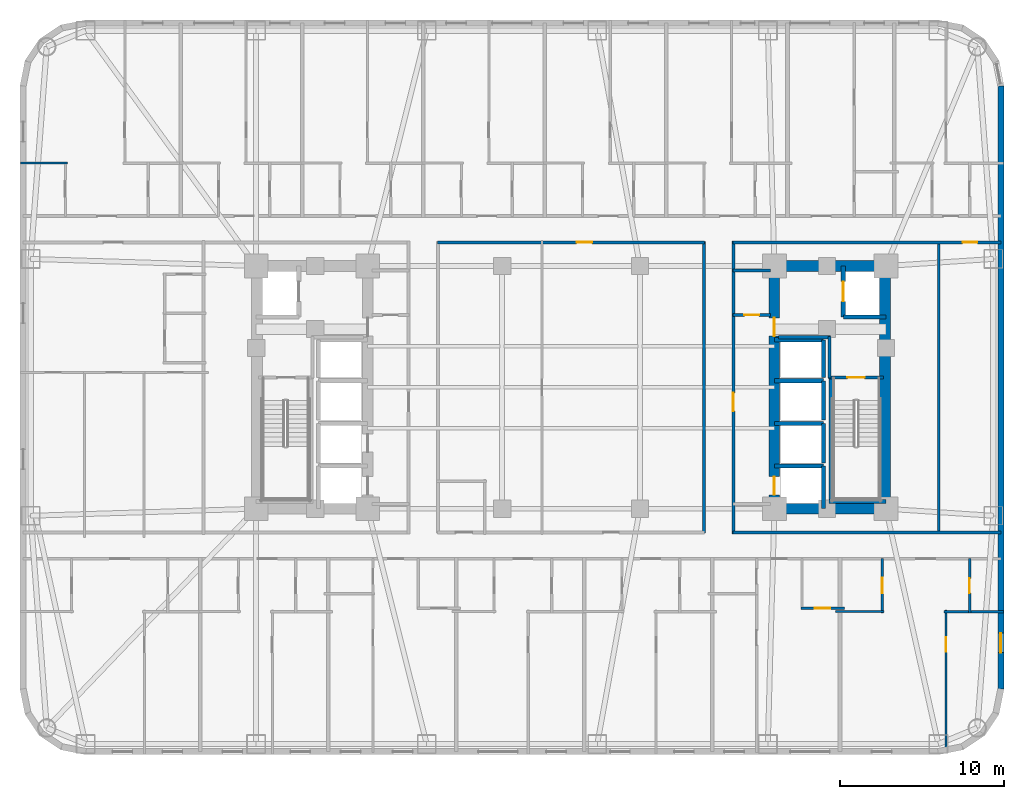
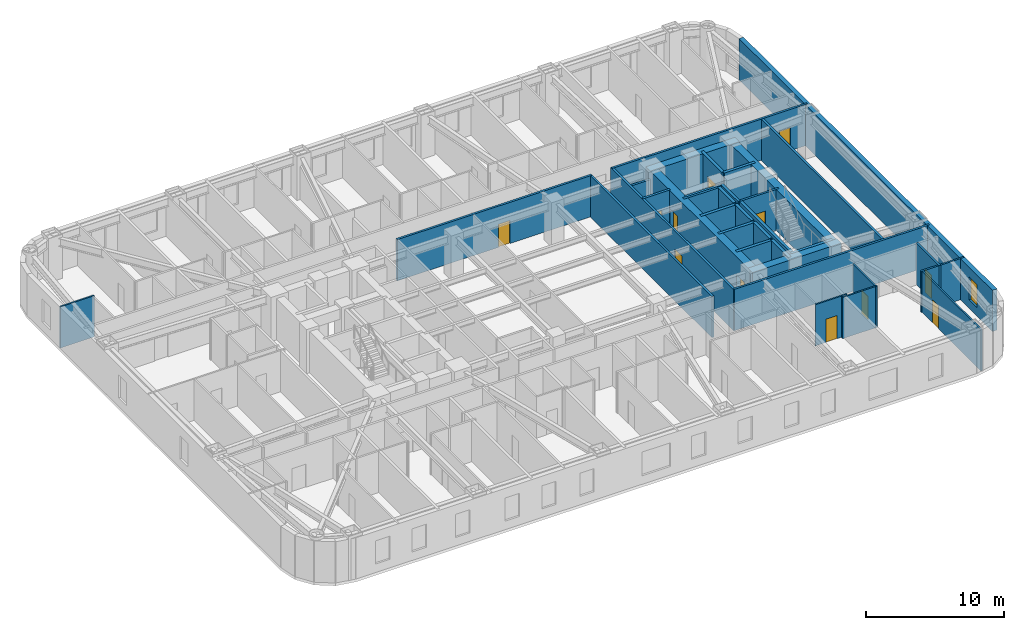
# One storey, part 6 of 11: 35 walls, 12 doors, 1 window, 13 openings.
"""IFC4 building model written with IfcOpenShell, lengths in metres."""

from ifc_helpers import new_model, si_unit, direction, frame, frame_2d, origin, place, context, subcontext, project, spatial, rectangle, extrude, material, layer, layer_set, type_object, element, fill, save


model = new_model("IFC4")

# Units and contexts
model_context = context("Model", 3, precision=1e-05, world=origin(), true_north=direction((0.0, 1.0)))
body_context = subcontext(model_context, "Body", "Model", "MODEL_VIEW")
ifc_project = project(units=[si_unit("LENGTHUNIT", "METRE"), si_unit("AREAUNIT", "SQUARE_METRE"), si_unit("VOLUMEUNIT", "CUBIC_METRE"), si_unit("PLANEANGLEUNIT", "RADIAN"), si_unit("MASSUNIT", "GRAM", prefix="KILO")], contexts=[model_context])

# Site, building, storey
site_placement = place(None, origin())
site = spatial("IfcSite", under=ifc_project, at=site_placement, CompositionType="ELEMENT")
building_placement = place(site_placement, origin())
building = spatial("IfcBuilding", under=site, at=building_placement, Name="Voryun Gate Residences", CompositionType="ELEMENT")
storey_placement = place(building_placement, frame((0.0, 0.0, 57.199951171875)))
storey = spatial("IfcBuildingStorey", under=building, at=storey_placement, Name="L13", CompositionType="ELEMENT", Elevation=57.199951171875)

# Walls
ifc_material_1 = material(Name="Concrete C60/75", Category="concrete")
ifc_layer_1 = layer(ifc_material_1, 0.64990234375, Name="CW_CORE_650")
ifc_layer_set_1 = layer_set([ifc_layer_1], Name="Concrete C60/75")
wall_type_1 = type_object("IfcWallType", Name="CW_CORE_650", PredefinedType="SHEAR", material=ifc_layer_set_1)
for number, where, z_axis, x_axis, name in (
    (1, (12.074951171875, -7.39990234375, 0.0), (0.0, 0.0, 1.0), (1.0, 0.0, 0.0), "L13 Core shear wall CW-L13-ES"),
    (2, (12.074951171875, 7.39990234375, 0.0), (0.0, 0.0, 1.0), (1.0, 0.0, 0.0), "L13 Core shear wall CW-L13-EN"),
):
    element("IfcWall", number, at=place(storey_placement, frame(where, z_axis=z_axis, x_axis=x_axis)), inside=storey, type_object=wall_type_1, Name=name, PredefinedType="SHEAR", context=body_context, shape_type="SweptSolid", body=[
        extrude(rectangle(XDim=7.449951171875, YDim=0.64990234375, at=frame_2d((3.72509765625, 0.0))), origin(), (0.0, 0.0, 1.0), 3.650146484375),
    ])

# Wall, openings, doors
wall_1_placement = place(storey_placement, frame((12.39990234375, -7.39990234375, 0.0), z_axis=(0.0, 0.0, 1.0), x_axis=(0.0, 1.0, 0.0)))
wall_1 = element("IfcWall", 3, at=wall_1_placement, inside=storey, type_object=wall_type_1, Name="L13 Core shear wall CW-L13-EW", PredefinedType="SHEAR", context=body_context, shape_type="SweptSolid", body=[
    extrude(rectangle(XDim=14.7998046875, YDim=0.64990234375, at=frame_2d((7.39990234375, 0.0))), origin(), (0.0, 0.0, 1.0), 3.650146484375),
])
opening_1_placement = place(wall_1_placement, frame((0.85009765625, 0.0, 0.0)))
opening_1 = element("IfcOpeningElement", 4, at=opening_1_placement, cuts=wall_1, Name="Opening LD2", PredefinedType="OPENING", context=body_context, shape_type="SweptSolid", body=[
    extrude(rectangle(XDim=1.10009765625, YDim=2.050048828125, at=frame_2d((0.550048828125, 1.02490234375))), frame((0.0, 0.3349609375, 0.0), z_axis=(0.0, -1.0, 0.0), x_axis=(1.0, 0.0, 0.0)), (0.0, 0.0, 1.0), 0.669921875),
])
opening_2_placement = place(wall_1_placement, frame((10.530029296875, 0.0, 0.0)))
opening_2 = element("IfcOpeningElement", 5, at=opening_2_placement, cuts=wall_1, Name="Opening D-FD60-2", PredefinedType="OPENING", context=body_context, shape_type="SweptSolid", body=[
    extrude(rectangle(XDim=1.10009765625, YDim=2.050048828125, at=frame_2d((0.550048828125, 1.02490234375))), frame((0.0, 0.3349609375, 0.0), z_axis=(0.0, -1.0, 0.0), x_axis=(1.0, 0.0, 0.0)), (0.0, 0.0, 1.0), 0.669921875),
])
ifc_material_2 = material(Name="Painted steel fire door", Category="steel")
door_type_1 = type_object("IfcDoorType", Name="DR_FD60_FFLOB_1100", OperationType="NOTDEFINED", PredefinedType="DOOR", material=ifc_material_2)
door_1_placement = place(opening_2_placement, origin())
door_1 = element("IfcDoor", 6, at=door_1_placement, inside=storey, type_object=door_type_1, Name="Door DR-L13-CLOB-E", OperationType="SINGLE_SWING_RIGHT", OverallHeight=2.050048828125, OverallWidth=1.10009765625, PredefinedType="DOOR", context=body_context, shape_type="SweptSolid", body=[
    extrude(rectangle(XDim=1.10009765625, YDim=2.050048828125, at=frame_2d((0.550048828125, 1.02490234375))), frame((0.0, 0.02490234375, 0.0), z_axis=(0.0, -1.0, 0.0), x_axis=(1.0, 0.0, 0.0)), (0.0, 0.0, 1.0), 0.050048828125),
])
fill(opening_2, door_1)
ifc_material_3 = material(Name="Anodised aluminium", Category="aluminium")
door_type_2 = type_object("IfcDoorType", Name="DR_LD_PASS_1100", OperationType="NOTDEFINED", PredefinedType="DOOR", material=ifc_material_3)
door_2_placement = place(opening_1_placement, origin())
door_2 = element("IfcDoor", 7, at=door_2_placement, inside=storey, type_object=door_type_2, Name="Lift EL-P3 sliding landing door L13", OperationType="SLIDING_TO_LEFT", OverallHeight=2.050048828125, OverallWidth=1.10009765625, PredefinedType="DOOR", context=body_context, shape_type="SweptSolid", body=[
    extrude(rectangle(XDim=1.10009765625, YDim=2.050048828125, at=frame_2d((0.550048828125, 1.02490234375))), frame((0.0, 0.02490234375, 0.0), z_axis=(0.0, -1.0, 0.0), x_axis=(1.0, 0.0, 0.0)), (0.0, 0.0, 1.0), 0.050048828125),
])
fill(opening_1, door_2)

# Wall
wall_2_placement = place(storey_placement, frame((19.14501953125, -7.39990234375, 0.0), z_axis=(0.0, 0.0, 1.0), x_axis=(0.0, 1.0, 0.0)))
element("IfcWall", 8, at=wall_2_placement, inside=storey, type_object=wall_type_1, Name="L13 Core shear wall CW-L13-EE", PredefinedType="SHEAR", context=body_context, shape_type="SweptSolid", body=[
    extrude(rectangle(XDim=14.7998046875, YDim=0.64990234375, at=frame_2d((7.39990234375, 0.0))), origin(), (0.0, 0.0, 1.0), 3.650146484375),
])

# Wall, opening, door
ifc_material_4 = material(Name="Gypsum acoustic fireboard")
ifc_layer_2 = layer(ifc_material_4, 0.179931640625, Name="W_CORR_RATED_180")
ifc_layer_set_2 = layer_set([ifc_layer_2], Name="Gypsum acoustic fireboard")
wall_type_2 = type_object("IfcWallType", Name="W_CORR_RATED_180", PredefinedType="PARTITIONING", material=ifc_layer_set_2)
wall_3_placement = place(storey_placement, frame((15.699951171875, 0.60009765625, 0.0), z_axis=(0.0, 0.0, 1.0), x_axis=(1.0, 0.0, 0.0)))
wall_3 = element("IfcWall", 9, at=wall_3_placement, inside=storey, type_object=wall_type_2, Name="Partition wall WP-L13-STV-E", PredefinedType="PARTITIONING", context=body_context, shape_type="SweptSolid", body=[
    extrude(rectangle(XDim=3.360107421875, YDim=0.179931640625, at=frame_2d((1.68017578125, 0.0))), origin(), (0.0, 0.0, 1.0), 3.650146484375),
])
opening_3_placement = place(wall_3_placement, frame((1.155029296875, 0.0, 0.0)))
opening_3 = element("IfcOpeningElement", 10, at=opening_3_placement, cuts=wall_3, Name="Opening D-FD60-1", PredefinedType="OPENING", context=body_context, shape_type="SweptSolid", body=[
    extrude(rectangle(XDim=1.050048828125, YDim=2.050048828125, at=frame_2d((0.52490234375, 1.02490234375))), frame((0.0, 0.099853515625, 0.0), z_axis=(0.0, -1.0, 0.0), x_axis=(1.0, 0.0, 0.0)), (0.0, 0.0, 1.0), 0.199951171875),
])
ifc_material_5 = material(Name="Painted steel fire door", Category="steel")
door_type_3 = type_object("IfcDoorType", Name="DR_FD60_STAIR_1050", OperationType="NOTDEFINED", PredefinedType="DOOR", material=ifc_material_5)
door_3_placement = place(opening_3_placement, origin())
door_3 = element("IfcDoor", 11, at=door_3_placement, inside=storey, type_object=door_type_3, Name="Door DR-L13-ST-E", OperationType="SINGLE_SWING_RIGHT", OverallHeight=2.050048828125, OverallWidth=1.050048828125, PredefinedType="DOOR", context=body_context, shape_type="SweptSolid", body=[
    extrude(rectangle(XDim=1.050048828125, YDim=2.050048828125, at=frame_2d((0.52490234375, 1.02490234375))), frame((0.0, 0.02490234375, 0.0), z_axis=(0.0, -1.0, 0.0), x_axis=(1.0, 0.0, 0.0)), (0.0, 0.0, 1.0), 0.050048828125),
])
fill(opening_3, door_3)

# Wall
wall_4_placement = place(storey_placement, frame((9.8798828125, 7.1201171875, 0.0), z_axis=(0.0, 0.0, 1.0), x_axis=(1.0, 0.0, 0.0)))
element("IfcWall", 12, at=wall_4_placement, inside=storey, type_object=wall_type_2, Name="Partition wall WP-L13-PLBN-E", PredefinedType="PARTITIONING", context=body_context, shape_type="SweptSolid", body=[
    extrude(rectangle(XDim=2.27001953125, YDim=0.179931640625, at=frame_2d((1.135009765625, 0.0))), origin(), (0.0, 0.0, 1.0), 2.93994140625),
])

# Wall, opening, door
wall_5_placement = place(storey_placement, frame((9.89990234375, -8.929931640625, 0.0), z_axis=(0.0, 0.0, 1.0), x_axis=(0.0, 1.0, 0.0)))
wall_5 = element("IfcWall", 13, at=wall_5_placement, inside=storey, type_object=wall_type_2, Name="Partition wall WP-L13-PLBE-FULL", PredefinedType="PARTITIONING", context=body_context, shape_type="SweptSolid", body=[
    extrude(rectangle(XDim=17.85986328125, YDim=0.179931640625, at=frame_2d((8.929931640625, 0.0))), origin(), (0.0, 0.0, 1.0), 3.650146484375),
])
opening_4_placement = place(wall_5_placement, frame((7.487060546875, 0.0, 0.0)))
opening_4 = element("IfcOpeningElement", 14, at=opening_4_placement, cuts=wall_5, Name="Opening D-FD60-2", PredefinedType="OPENING", context=body_context, shape_type="SweptSolid", body=[
    extrude(rectangle(XDim=1.10009765625, YDim=2.050048828125, at=frame_2d((0.550048828125, 1.02490234375))), frame((0.0, 0.099853515625, 0.0), z_axis=(0.0, -1.0, 0.0), x_axis=(1.0, 0.0, 0.0)), (0.0, 0.0, 1.0), 0.199951171875),
])
door_4_placement = place(opening_4_placement, origin())
door_4 = element("IfcDoor", 15, at=door_4_placement, inside=storey, type_object=door_type_1, Name="Door DR-L13-PLBE-COR", OperationType="SINGLE_SWING_RIGHT", OverallHeight=2.050048828125, OverallWidth=1.10009765625, PredefinedType="DOOR", context=body_context, shape_type="SweptSolid", body=[
    extrude(rectangle(XDim=1.10009765625, YDim=2.050048828125, at=frame_2d((0.550048828125, 1.02490234375))), frame((0.0, 0.02490234375, 0.0), z_axis=(0.0, -1.0, 0.0), x_axis=(1.0, 0.0, 0.0)), (0.0, 0.0, 1.0), 0.050048828125),
])
fill(opening_4, door_4)

wall_6_placement = place(storey_placement, frame((9.8798828125, 8.840087890625, 0.0), z_axis=(0.0, 0.0, 1.0), x_axis=(1.0, 0.0, 0.0)))
wall_6 = element("IfcWall", 16, at=wall_6_placement, inside=storey, type_object=wall_type_2, Name="Partition wall WP-L13-CWING-EN", PredefinedType="PARTITIONING", context=body_context, shape_type="SweptSolid", body=[
    extrude(rectangle(XDim=16.330078125, YDim=0.179931640625, at=frame_2d((8.1650390625, 0.0))), origin(), (0.0, 0.0, 1.0), 3.650146484375),
])
opening_5_placement = place(wall_6_placement, frame((13.990478515625, 0.0, 0.0)))
opening_5 = element("IfcOpeningElement", 17, at=opening_5_placement, cuts=wall_6, Name="Opening D-INT-2", PredefinedType="OPENING", context=body_context, shape_type="SweptSolid", body=[
    extrude(rectangle(XDim=0.89990234375, YDim=2.050048828125, at=frame_2d((0.449951171875, 1.02490234375))), frame((0.0, 0.099853515625, 0.0), z_axis=(0.0, -1.0, 0.0), x_axis=(1.0, 0.0, 0.0)), (0.0, 0.0, 1.0), 0.199951171875),
])
ifc_material_6 = material(Name="Architectural oak veneer")
door_type_4 = type_object("IfcDoorType", Name="DR_INT_BATH_900", OperationType="NOTDEFINED", PredefinedType="DOOR", material=ifc_material_6)
door_5_placement = place(opening_5_placement, origin())
door_5 = element("IfcDoor", 18, at=door_5_placement, inside=storey, type_object=door_type_4, Name="Door DR-L13-EE1N", OperationType="SINGLE_SWING_LEFT", OverallHeight=2.050048828125, OverallWidth=0.89990234375, PredefinedType="DOOR", context=body_context, shape_type="SweptSolid", body=[
    extrude(rectangle(XDim=0.89990234375, YDim=2.050048828125, at=frame_2d((0.449951171875, 1.02490234375))), frame((0.0, 0.02490234375, 0.0), z_axis=(0.0, -1.0, 0.0), x_axis=(1.0, 0.0, 0.0)), (0.0, 0.0, 1.0), 0.050048828125),
])
fill(opening_5, door_5)

# Wall
wall_7_placement = place(storey_placement, frame((9.8798828125, -8.840087890625, 0.0), z_axis=(0.0, 0.0, 1.0), x_axis=(1.0, 0.0, 0.0)))
element("IfcWall", 19, at=wall_7_placement, inside=storey, type_object=wall_type_2, Name="Partition wall WP-L13-CWING-ES", PredefinedType="PARTITIONING", context=body_context, shape_type="SweptSolid", body=[
    extrude(rectangle(XDim=16.330078125, YDim=0.179931640625, at=frame_2d((8.1650390625, 0.0))), origin(), (0.0, 0.0, 1.0), 3.650146484375),
])

# Wall, opening, door
wall_8_placement = place(storey_placement, frame((-8.14990234375, 8.840087890625, 0.0), z_axis=(0.0, 0.0, 1.0), x_axis=(1.0, 0.0, 0.0)))
wall_8 = element("IfcWall", 20, at=wall_8_placement, inside=storey, type_object=wall_type_2, Name="Partition wall WP-L13-Z1N", PredefinedType="PARTITIONING", context=body_context, shape_type="SweptSolid", body=[
    extrude(rectangle(XDim=16.2998046875, YDim=0.179931640625, at=frame_2d((8.14990234375, 0.0))), origin(), (0.0, 0.0, 1.0), 3.650146484375),
])
opening_6_placement = place(wall_8_placement, frame((8.489990234375, 0.0, 0.0)))
opening_6 = element("IfcOpeningElement", 21, at=opening_6_placement, cuts=wall_8, Name="Opening D-INT-1", PredefinedType="OPENING", context=body_context, shape_type="SweptSolid", body=[
    extrude(rectangle(XDim=0.949951171875, YDim=2.050048828125, at=frame_2d((0.47509765625, 1.02490234375))), frame((0.0, 0.099853515625, 0.0), z_axis=(0.0, -1.0, 0.0), x_axis=(1.0, 0.0, 0.0)), (0.0, 0.0, 1.0), 0.199951171875),
])
ifc_material_7 = material(Name="Architectural oak veneer")
door_type_5 = type_object("IfcDoorType", Name="DR_INT_ROOM_950", OperationType="NOTDEFINED", PredefinedType="DOOR", material=ifc_material_7)
door_6_placement = place(opening_6_placement, origin())
door_6 = element("IfcDoor", 22, at=door_6_placement, inside=storey, type_object=door_type_5, Name="Door DR-L13-CMIDZ1N", OperationType="SINGLE_SWING_LEFT", OverallHeight=2.050048828125, OverallWidth=0.949951171875, PredefinedType="DOOR", context=body_context, shape_type="SweptSolid", body=[
    extrude(rectangle(XDim=0.949951171875, YDim=2.050048828125, at=frame_2d((0.47509765625, 1.02490234375))), frame((0.0, 0.02490234375, 0.0), z_axis=(0.0, -1.0, 0.0), x_axis=(1.0, 0.0, 0.0)), (0.0, 0.0, 1.0), 0.050048828125),
])
fill(opening_6, door_6)

# Walls
wall_9_placement = place(storey_placement, frame((8.10009765625, -8.8798828125, 0.0), z_axis=(0.0, 0.0, 1.0), x_axis=(0.0, 1.0, 0.0)))
element("IfcWall", 23, at=wall_9_placement, inside=storey, type_object=wall_type_2, Name="Partition wall WP-L13-Z1E", PredefinedType="PARTITIONING", context=body_context, shape_type="SweptSolid", body=[
    extrude(rectangle(XDim=17.759765625, YDim=0.179931640625, at=frame_2d((8.8798828125, 0.0))), origin(), (0.0, 0.0, 1.0), 3.650146484375),
])
wall_10_placement = place(storey_placement, frame((22.419921875, -8.929931640625, 0.0), z_axis=(0.0, 0.0, 1.0), x_axis=(0.0, 1.0, 0.0)))
element("IfcWall", 24, at=wall_10_placement, inside=storey, type_object=wall_type_2, Name="Partition wall WP-L13-EEND", PredefinedType="PARTITIONING", context=body_context, shape_type="SweptSolid", body=[
    extrude(rectangle(XDim=17.85986328125, YDim=0.179931640625, at=frame_2d((8.929931640625, 0.0))), origin(), (0.0, 0.0, 1.0), 3.650146484375),
])

# Wall, opening, window
ifc_material_8 = material(Name="Granite masonry", Category="masonry")
ifc_layer_3 = layer(ifc_material_8, 0.3798828125, Name="W_EXT_GRANITE_380")
ifc_layer_set_3 = layer_set([ifc_layer_3], Name="Granite masonry")
wall_type_3 = type_object("IfcWallType", Name="W_EXT_GRANITE_380", PredefinedType="ELEMENTEDWALL", material=ifc_layer_set_3)
wall_11_placement = place(storey_placement, frame((26.2099609375, 18.38134765625, 0.0), z_axis=(0.0, 0.0, 1.0), x_axis=(0.0, -1.0, 0.0)))
wall_11 = element("IfcWall", 25, at=wall_11_placement, inside=storey, type_object=wall_type_3, Name="Exterior wall WEXT-L13-16", PredefinedType="ELEMENTEDWALL", context=body_context, shape_type="SweptSolid", body=[
    extrude(rectangle(XDim=36.7626953125, YDim=0.3798828125, at=frame_2d((18.38134765625, 0.0))), origin(), (0.0, 0.0, 1.0), 3.650146484375),
])
opening_7_placement = place(wall_11_placement, frame((33.362060546875, 0.0, 0.75)))
opening_7 = element("IfcOpeningElement", 26, at=opening_7_placement, cuts=wall_11, Name="Opening WN6", PredefinedType="OPENING", context=body_context, shape_type="SweptSolid", body=[
    extrude(rectangle(XDim=1.199951171875, YDim=2.050048828125, at=frame_2d((0.60009765625, 1.02490234375))), frame((0.0, 0.199951171875, 0.0), z_axis=(0.0, -1.0, 0.0), x_axis=(1.0, 0.0, 0.0)), (0.0, 0.0, 1.0), 0.39990234375),
])
ifc_material_9 = material(Name="Laminated low-E glass", Category="glass")
window_type = type_object("IfcWindowType", Name="WN_POD_SLOT_1200", PartitioningType="SINGLE_PANEL", PredefinedType="WINDOW", material=ifc_material_9)
window_placement = place(opening_7_placement, origin())
window = element("IfcWindow", 27, at=window_placement, inside=storey, type_object=window_type, Name="Window WN-L13-DWFIX-25", OverallHeight=2.050048828125, OverallWidth=1.199951171875, PartitioningType="SINGLE_PANEL", PredefinedType="WINDOW", context=body_context, shape_type="SweptSolid", body=[
    extrude(rectangle(XDim=1.199951171875, YDim=2.050048828125, at=frame_2d((0.60009765625, 1.02490234375))), frame((0.0, 0.030029296875, 0.0), z_axis=(0.0, -1.0, 0.0), x_axis=(1.0, 0.0, 0.0)), (0.0, 0.0, 1.0), 0.06005859375),
])
fill(opening_7, window)

# Walls
ifc_material_10 = material(Name="Concrete C40/50", Category="concrete")
ifc_layer_4 = layer(ifc_material_10, 0.199951171875, Name="W_FF_LOBBY_200")
ifc_layer_set_4 = layer_set([ifc_layer_4], Name="Concrete C40/50")
wall_type_4 = type_object("IfcWallType", Name="W_FF_LOBBY_200", PredefinedType="PARTITIONING", material=ifc_layer_set_4)
wall_12_placement = place(storey_placement, frame((15.760009765625, 0.580078125, 0.0), z_axis=(0.0, 0.0, 1.0), x_axis=(0.0, 1.0, 0.0)))
element("IfcWall", 28, at=wall_12_placement, inside=storey, type_object=wall_type_4, Name="Partition wall WP-L13-FFP0-E", PredefinedType="PARTITIONING", context=body_context, shape_type="SweptSolid", body=[
    extrude(rectangle(XDim=2.52001953125, YDim=0.199951171875, at=frame_2d((1.260009765625, 0.0))), origin(), (0.0, 0.0, 1.0), 3.650146484375),
])
wall_13_placement = place(storey_placement, frame((12.659912109375, 3.06005859375, 0.0), z_axis=(0.0, 0.0, 1.0), x_axis=(1.0, 0.0, 0.0)))
element("IfcWall", 29, at=wall_13_placement, inside=storey, type_object=wall_type_4, Name="Partition wall WP-L13-FFPS-E", PredefinedType="PARTITIONING", context=body_context, shape_type="SweptSolid", body=[
    extrude(rectangle(XDim=3.16015625, YDim=0.199951171875, at=frame_2d((1.580078125, 0.0))), origin(), (0.0, 0.0, 1.0), 3.650146484375),
])

# Wall, opening, door
wall_14_placement = place(storey_placement, frame((9.8798828125, 4.409912109375, 0.0), z_axis=(0.0, 0.0, 1.0), x_axis=(1.0, 0.0, 0.0)))
wall_14 = element("IfcWall", 30, at=wall_14_placement, inside=storey, type_object=wall_type_4, Name="Partition wall WP-L13-CSFLKS-E", PredefinedType="PARTITIONING", context=body_context, shape_type="SweptSolid", body=[
    extrude(rectangle(XDim=2.27001953125, YDim=0.199951171875, at=frame_2d((1.135009765625, 0.0))), origin(), (0.0, 0.0, 1.0), 3.650146484375),
])
opening_8_placement = place(wall_14_placement, frame((0.68505859375, 0.0, 0.0)))
opening_8 = element("IfcOpeningElement", 31, at=opening_8_placement, cuts=wall_14, Name="Opening D-FD60-4", PredefinedType="OPENING", context=body_context, shape_type="SweptSolid", body=[
    extrude(rectangle(XDim=0.89990234375, YDim=2.050048828125, at=frame_2d((0.449951171875, 1.02490234375))), frame((0.0, 0.110107421875, 0.0), z_axis=(0.0, -1.0, 0.0), x_axis=(1.0, 0.0, 0.0)), (0.0, 0.0, 1.0), 0.219970703125),
])
ifc_material_11 = material(Name="Painted steel fire door", Category="steel")
door_type_6 = type_object("IfcDoorType", Name="DR_FD60_RISER_900", OperationType="NOTDEFINED", PredefinedType="DOOR", material=ifc_material_11)
door_7_placement = place(opening_8_placement, origin())
door_7 = element("IfcDoor", 32, at=door_7_placement, inside=storey, type_object=door_type_6, Name="Door DR-L13-CSFLK-E", OperationType="SINGLE_SWING_RIGHT", OverallHeight=2.050048828125, OverallWidth=0.89990234375, PredefinedType="DOOR", context=body_context, shape_type="SweptSolid", body=[
    extrude(rectangle(XDim=0.89990234375, YDim=2.050048828125, at=frame_2d((0.449951171875, 1.02490234375))), frame((0.0, 0.02490234375, 0.0), z_axis=(0.0, -1.0, 0.0), x_axis=(1.0, 0.0, 0.0)), (0.0, 0.0, 1.0), 0.050048828125),
])
fill(opening_8, door_7)

# Walls
ifc_material_12 = material(Name="Concrete C50/60", Category="concrete")
ifc_layer_5 = layer(ifc_material_12, 0.25, Name="W_SHAFT_RC250")
ifc_layer_set_5 = layer_set([ifc_layer_5], Name="Concrete C50/60")
wall_type_5 = type_object("IfcWallType", Name="W_SHAFT_RC250", PredefinedType="SOLIDWALL", material=ifc_layer_set_5)
wall_15_placement = place(storey_placement, frame((15.860107421875, -7.0849609375, 0.0), z_axis=(0.0, 0.0, 1.0), x_axis=(0.0, 1.0, 0.0)))
element("IfcWall", 33, at=wall_15_placement, inside=storey, type_object=wall_type_5, Name="L13 Stair shaft structural wall E-STL", PredefinedType="SOLIDWALL", context=body_context, shape_type="SweptSolid", body=[
    extrude(rectangle(XDim=7.68505859375, YDim=0.25, at=frame_2d((3.842529296875, 0.0))), origin(), (0.0, 0.0, 1.0), 3.650146484375),
])
wall_16_placement = place(storey_placement, frame((15.739990234375, -6.965087890625, 0.0), z_axis=(0.0, 0.0, 1.0), x_axis=(1.0, 0.0, 0.0)))
element("IfcWall", 34, at=wall_16_placement, inside=storey, type_object=wall_type_5, Name="L13 Stair shaft structural wall E-STS", PredefinedType="SOLIDWALL", context=body_context, shape_type="SweptSolid", body=[
    extrude(rectangle(XDim=3.4599609375, YDim=0.25, at=frame_2d((1.72998046875, 0.0))), origin(), (0.0, 0.0, 1.0), 3.650146484375),
])
wall_17_placement = place(storey_placement, frame((16.60009765625, 4.300048828125, 0.0), z_axis=(0.0, 0.0, 1.0), x_axis=(1.0, 0.0, 0.0)))
element("IfcWall", 35, at=wall_17_placement, inside=storey, type_object=wall_type_5, Name="Lift shaft wall WSH-L13-EL-FF-E1-S", PredefinedType="SOLIDWALL", context=body_context, shape_type="SweptSolid", body=[
    extrude(rectangle(XDim=2.599853515625, YDim=0.25, at=frame_2d((1.2998046875, 0.0))), origin(), (0.0, 0.0, 1.0), 3.650146484375),
])

# Wall, opening, door
wall_18_placement = place(storey_placement, frame((16.60009765625, 7.39990234375, 0.0), z_axis=(0.0, 0.0, 1.0), x_axis=(0.0, -1.0, 0.0)))
wall_18 = element("IfcWall", 36, at=wall_18_placement, inside=storey, type_object=wall_type_5, Name="Lift shaft wall WSH-L13-EL-FF-E1-W", PredefinedType="SOLIDWALL", context=body_context, shape_type="SweptSolid", body=[
    extrude(rectangle(XDim=3.099853515625, YDim=0.25, at=frame_2d((1.5498046875, 0.0))), origin(), (0.0, 0.0, 1.0), 3.650146484375),
])
opening_9_placement = place(wall_18_placement, frame((0.949951171875, 0.0, 0.0)))
opening_9 = element("IfcOpeningElement", 37, at=opening_9_placement, cuts=wall_18, Name="Opening LD1", PredefinedType="OPENING", context=body_context, shape_type="SweptSolid", body=[
    extrude(rectangle(XDim=1.199951171875, YDim=2.050048828125, at=frame_2d((0.60009765625, 1.02490234375))), frame((0.0, 0.135009765625, 0.0), z_axis=(0.0, -1.0, 0.0), x_axis=(1.0, 0.0, 0.0)), (0.0, 0.0, 1.0), 0.27001953125),
])
ifc_material_13 = material(Name="Anodised aluminium", Category="aluminium")
door_type_7 = type_object("IfcDoorType", Name="DR_LD_FF_1200", OperationType="NOTDEFINED", PredefinedType="DOOR", material=ifc_material_13)
door_8_placement = place(opening_9_placement, origin())
door_8 = element("IfcDoor", 38, at=door_8_placement, inside=storey, type_object=door_type_7, Name="Lift EL-FF-E1 sliding landing door L13", OperationType="SLIDING_TO_LEFT", OverallHeight=2.050048828125, OverallWidth=1.199951171875, PredefinedType="DOOR", context=body_context, shape_type="SweptSolid", body=[
    extrude(rectangle(XDim=1.199951171875, YDim=2.050048828125, at=frame_2d((0.60009765625, 1.02490234375))), frame((0.0, 0.02490234375, 0.0), z_axis=(0.0, -1.0, 0.0), x_axis=(1.0, 0.0, 0.0)), (0.0, 0.0, 1.0), 0.050048828125),
])
fill(opening_9, door_8)

# Walls
wall_19_placement = place(storey_placement, frame((15.39990234375, -7.39990234375, 0.0), z_axis=(0.0, 0.0, 1.0), x_axis=(0.0, 1.0, 0.0)))
element("IfcWall", 39, at=wall_19_placement, inside=storey, type_object=wall_type_5, Name="Lift shaft wall WSH-L13-EL-P3-E", PredefinedType="SOLIDWALL", context=body_context, shape_type="SweptSolid", body=[
    extrude(rectangle(XDim=2.599853515625, YDim=0.25, at=frame_2d((1.2998046875, 0.0))), origin(), (0.0, 0.0, 1.0), 3.650146484375),
])
wall_20_placement = place(storey_placement, frame((15.39990234375, -4.800048828125, 0.0), z_axis=(0.0, 0.0, 1.0), x_axis=(-1.0, 0.0, 0.0)))
element("IfcWall", 40, at=wall_20_placement, inside=storey, type_object=wall_type_5, Name="Lift shaft wall WSH-L13-EL-P3-N", PredefinedType="SOLIDWALL", context=body_context, shape_type="SweptSolid", body=[
    extrude(rectangle(XDim=3.0, YDim=0.25, at=frame_2d((1.5, 0.0))), origin(), (0.0, 0.0, 1.0), 3.650146484375),
])
wall_21_placement = place(storey_placement, frame((15.39990234375, -4.60009765625, 0.0), z_axis=(0.0, 0.0, 1.0), x_axis=(0.0, 1.0, 0.0)))
element("IfcWall", 41, at=wall_21_placement, inside=storey, type_object=wall_type_5, Name="Lift shaft wall WSH-L13-EL-P5-E", PredefinedType="SOLIDWALL", context=body_context, shape_type="SweptSolid", body=[
    extrude(rectangle(XDim=2.400146484375, YDim=0.25, at=frame_2d((1.2001953125, 0.0))), origin(), (0.0, 0.0, 1.0), 3.650146484375),
])
wall_22_placement = place(storey_placement, frame((15.39990234375, -2.199951171875, 0.0), z_axis=(0.0, 0.0, 1.0), x_axis=(-1.0, 0.0, 0.0)))
element("IfcWall", 42, at=wall_22_placement, inside=storey, type_object=wall_type_5, Name="Lift shaft wall WSH-L13-EL-P5-N", PredefinedType="SOLIDWALL", context=body_context, shape_type="SweptSolid", body=[
    extrude(rectangle(XDim=3.0, YDim=0.25, at=frame_2d((1.5, 0.0))), origin(), (0.0, 0.0, 1.0), 3.650146484375),
])
wall_23_placement = place(storey_placement, frame((15.39990234375, -2.0, 0.0), z_axis=(0.0, 0.0, 1.0), x_axis=(0.0, 1.0, 0.0)))
element("IfcWall", 43, at=wall_23_placement, inside=storey, type_object=wall_type_5, Name="Lift shaft wall WSH-L13-EL-P6-E", PredefinedType="SOLIDWALL", context=body_context, shape_type="SweptSolid", body=[
    extrude(rectangle(XDim=2.39990234375, YDim=0.25, at=frame_2d((1.199951171875, 0.0))), origin(), (0.0, 0.0, 1.0), 3.650146484375),
])
wall_24_placement = place(storey_placement, frame((15.39990234375, 0.39990234375, 0.0), z_axis=(0.0, 0.0, 1.0), x_axis=(-1.0, 0.0, 0.0)))
element("IfcWall", 44, at=wall_24_placement, inside=storey, type_object=wall_type_5, Name="Lift shaft wall WSH-L13-EL-P6-N", PredefinedType="SOLIDWALL", context=body_context, shape_type="SweptSolid", body=[
    extrude(rectangle(XDim=3.0, YDim=0.25, at=frame_2d((1.5, 0.0))), origin(), (0.0, 0.0, 1.0), 3.650146484375),
])
wall_25_placement = place(storey_placement, frame((15.39990234375, 0.60009765625, 0.0), z_axis=(0.0, 0.0, 1.0), x_axis=(0.0, 1.0, 0.0)))
element("IfcWall", 45, at=wall_25_placement, inside=storey, type_object=wall_type_5, Name="Lift shaft wall WSH-L13-EL-P8-E", PredefinedType="SOLIDWALL", context=body_context, shape_type="SweptSolid", body=[
    extrude(rectangle(XDim=2.2998046875, YDim=0.25, at=frame_2d((1.14990234375, 0.0))), origin(), (0.0, 0.0, 1.0), 3.650146484375),
])
wall_26_placement = place(storey_placement, frame((15.39990234375, 2.89990234375, 0.0), z_axis=(0.0, 0.0, 1.0), x_axis=(-1.0, 0.0, 0.0)))
element("IfcWall", 46, at=wall_26_placement, inside=storey, type_object=wall_type_5, Name="Lift shaft wall WSH-L13-EL-P8-N", PredefinedType="SOLIDWALL", context=body_context, shape_type="SweptSolid", body=[
    extrude(rectangle(XDim=3.0, YDim=0.25, at=frame_2d((1.5, 0.0))), origin(), (0.0, 0.0, 1.0), 3.650146484375),
])
ifc_material_14 = material(Name="Gypsum acoustic partition")
ifc_layer_6 = layer(ifc_material_14, 0.125, Name="W_UNIT_PART_125")
ifc_layer_set_6 = layer_set([ifc_layer_6], Name="Gypsum acoustic partition")
wall_type_6 = type_object("IfcWallType", Name="W_UNIT_PART_125", PredefinedType="PARTITIONING", material=ifc_layer_set_6)
wall_27_placement = place(storey_placement, frame((-33.56005859375, 13.669921875, 0.0), z_axis=(0.0, 0.0, 1.0), x_axis=(1.0, 0.0, 0.0)))
element("IfcWall", 47, at=wall_27_placement, inside=storey, type_object=wall_type_6, Name="Partition wall WP-L13-N1-HZK", PredefinedType="PARTITIONING", context=body_context, shape_type="SweptSolid", body=[
    extrude(rectangle(XDim=2.843017578125, YDim=0.125, at=frame_2d((1.42138671875, 0.0))), origin(), (0.0, 0.0, 1.0), 3.650146484375),
])

# Wall, opening, door
wall_28_placement = place(storey_placement, frame((14.01611328125, -13.469970703125, 0.0), z_axis=(0.0, 0.0, 1.0), x_axis=(1.0, 0.0, 0.0)))
wall_28 = element("IfcWall", 48, at=wall_28_placement, inside=storey, type_object=wall_type_6, Name="Partition wall WP-L13-S6-KHY", PredefinedType="PARTITIONING", context=body_context, shape_type="SweptSolid", body=[
    extrude(rectangle(XDim=2.643798828125, YDim=0.125, at=frame_2d((1.32177734375, 0.0))), origin(), (0.0, 0.0, 1.0), 3.650146484375),
])
opening_10_placement = place(wall_28_placement, frame((0.846923828125, 0.0, 0.0)))
opening_10 = element("IfcOpeningElement", 49, at=opening_10_placement, cuts=wall_28, Name="Opening D-INT-1", PredefinedType="OPENING", context=body_context, shape_type="SweptSolid", body=[
    extrude(rectangle(XDim=0.949951171875, YDim=2.050048828125, at=frame_2d((0.47509765625, 1.02490234375))), frame((0.0, 0.072509765625, 0.0), z_axis=(0.0, -1.0, 0.0), x_axis=(1.0, 0.0, 0.0)), (0.0, 0.0, 1.0), 0.14501953125),
])
door_9_placement = place(opening_10_placement, origin())
door_9 = element("IfcDoor", 50, at=door_9_placement, inside=storey, type_object=door_type_5, Name="Door DR-L13-S6-DK", OperationType="SINGLE_SWING_LEFT", OverallHeight=2.050048828125, OverallWidth=0.949951171875, PredefinedType="DOOR", context=body_context, shape_type="SweptSolid", body=[
    extrude(rectangle(XDim=0.949951171875, YDim=2.050048828125, at=frame_2d((0.47509765625, 1.02490234375))), frame((0.0, 0.02490234375, 0.0), z_axis=(0.0, -1.0, 0.0), x_axis=(1.0, 0.0, 0.0)), (0.0, 0.0, 1.0), 0.050048828125),
])
fill(opening_10, door_9)

wall_29_placement = place(storey_placement, frame((22.867919921875, -22.26611328125, 0.0), z_axis=(0.0, 0.0, 1.0), x_axis=(0.0, 1.0, 0.0)))
wall_29 = element("IfcWall", 51, at=wall_29_placement, inside=storey, type_object=wall_type_6, Name="Partition wall WP-L13-S7-OVR", PredefinedType="PARTITIONING", context=body_context, shape_type="SweptSolid", body=[
    extrude(rectangle(XDim=8.676025390625, YDim=0.125, at=frame_2d((4.337890625, 0.0))), origin(), (0.0, 0.0, 1.0), 3.650146484375),
])
opening_11_placement = place(wall_29_placement, frame((6.143798828125, 0.0, 0.0)))
opening_11 = element("IfcOpeningElement", 52, at=opening_11_placement, cuts=wall_29, Name="Opening D-INT-2", PredefinedType="OPENING", context=body_context, shape_type="SweptSolid", body=[
    extrude(rectangle(XDim=0.89990234375, YDim=2.050048828125, at=frame_2d((0.449951171875, 1.02490234375))), frame((0.0, 0.072509765625, 0.0), z_axis=(0.0, -1.0, 0.0), x_axis=(1.0, 0.0, 0.0)), (0.0, 0.0, 1.0), 0.14501953125),
])
door_10_placement = place(opening_11_placement, origin())
door_10 = element("IfcDoor", 53, at=door_10_placement, inside=storey, type_object=door_type_4, Name="Door DR-L13-S7-DMB", OperationType="SINGLE_SWING_RIGHT", OverallHeight=2.050048828125, OverallWidth=0.89990234375, PredefinedType="DOOR", context=body_context, shape_type="SweptSolid", body=[
    extrude(rectangle(XDim=0.89990234375, YDim=2.050048828125, at=frame_2d((0.449951171875, 1.02490234375))), frame((0.0, 0.02490234375, 0.0), z_axis=(0.0, -1.0, 0.0), x_axis=(1.0, 0.0, 0.0)), (0.0, 0.0, 1.0), 0.050048828125),
])
fill(opening_11, door_10)

wall_30_placement = place(storey_placement, frame((18.97705078125, -13.75, 0.0), z_axis=(0.0, 0.0, 1.0), x_axis=(0.0, 1.0, 0.0)))
wall_30 = element("IfcWall", 54, at=wall_30_placement, inside=storey, type_object=wall_type_6, Name="Partition wall WP-L13-S7-IVK", PredefinedType="PARTITIONING", context=body_context, shape_type="SweptSolid", body=[
    extrude(rectangle(XDim=3.320068359375, YDim=0.125, at=frame_2d((1.66015625, 0.0))), origin(), (0.0, 0.0, 1.0), 3.650146484375),
])
opening_12_placement = place(wall_30_placement, frame((1.18505859375, 0.0, 0.0)))
opening_12 = element("IfcOpeningElement", 55, at=opening_12_placement, cuts=wall_30, Name="Opening D-INT-1", PredefinedType="OPENING", context=body_context, shape_type="SweptSolid", body=[
    extrude(rectangle(XDim=0.949951171875, YDim=2.050048828125, at=frame_2d((0.47509765625, 1.02490234375))), frame((0.0, 0.072509765625, 0.0), z_axis=(0.0, -1.0, 0.0), x_axis=(1.0, 0.0, 0.0)), (0.0, 0.0, 1.0), 0.14501953125),
])
door_11_placement = place(opening_12_placement, origin())
door_11 = element("IfcDoor", 56, at=door_11_placement, inside=storey, type_object=door_type_5, Name="Door DR-L13-S7-DK", OperationType="SINGLE_SWING_LEFT", OverallHeight=2.050048828125, OverallWidth=0.949951171875, PredefinedType="DOOR", context=body_context, shape_type="SweptSolid", body=[
    extrude(rectangle(XDim=0.949951171875, YDim=2.050048828125, at=frame_2d((0.47509765625, 1.02490234375))), frame((0.0, 0.02490234375, 0.0), z_axis=(0.0, -1.0, 0.0), x_axis=(1.0, 0.0, 0.0)), (0.0, 0.0, 1.0), 0.050048828125),
])
fill(opening_12, door_11)

# Walls
wall_31_placement = place(storey_placement, frame((16.139892578125, -13.669921875, 0.0), z_axis=(0.0, 0.0, 1.0), x_axis=(1.0, 0.0, 0.0)))
element("IfcWall", 57, at=wall_31_placement, inside=storey, type_object=wall_type_6, Name="Partition wall WP-L13-S7-HZK", PredefinedType="PARTITIONING", context=body_context, shape_type="SweptSolid", body=[
    extrude(rectangle(XDim=2.95703125, YDim=0.125, at=frame_2d((1.478515625, 0.0))), origin(), (0.0, 0.0, 1.0), 3.650146484375),
])
ifc_material_15 = material(Name="Gypsum moisture-resistant partition")
ifc_layer_7 = layer(ifc_material_15, 0.14990234375, Name="W_WET_PLUMB_150")
ifc_layer_set_7 = layer_set([ifc_layer_7], Name="Gypsum moisture-resistant partition")
wall_type_7 = type_object("IfcWallType", Name="W_WET_PLUMB_150", PredefinedType="PLUMBINGWALL", material=ifc_layer_set_7)
wall_32_placement = place(storey_placement, frame((22.748046875, -13.669921875, 0.0), z_axis=(0.0, 0.0, 1.0), x_axis=(1.0, 0.0, 0.0)))
element("IfcWall", 58, at=wall_32_placement, inside=storey, type_object=wall_type_7, Name="Partition wall WP-L13-S7-HZB", PredefinedType="PLUMBINGWALL", context=body_context, shape_type="SweptSolid", body=[
    extrude(rectangle(XDim=3.612060546875, YDim=0.14990234375, at=frame_2d((1.80615234375, 0.0))), origin(), (0.0, 0.0, 1.0), 3.650146484375),
])

# Wall, opening, door
wall_33_placement = place(storey_placement, frame((24.298095703125, -13.75, 0.0), z_axis=(0.0, 0.0, 1.0), x_axis=(0.0, 1.0, 0.0)))
wall_33 = element("IfcWall", 59, at=wall_33_placement, inside=storey, type_object=wall_type_7, Name="Partition wall WP-L13-S7-IVB", PredefinedType="PLUMBINGWALL", context=body_context, shape_type="SweptSolid", body=[
    extrude(rectangle(XDim=3.320068359375, YDim=0.14990234375, at=frame_2d((1.66015625, 0.0))), origin(), (0.0, 0.0, 1.0), 3.650146484375),
])
opening_13_placement = place(wall_33_placement, frame((1.2099609375, 0.0, 0.0)))
opening_13 = element("IfcOpeningElement", 60, at=opening_13_placement, cuts=wall_33, Name="Opening D-INT-2", PredefinedType="OPENING", context=body_context, shape_type="SweptSolid", body=[
    extrude(rectangle(XDim=0.89990234375, YDim=2.050048828125, at=frame_2d((0.449951171875, 1.02490234375))), frame((0.0, 0.0849609375, 0.0), z_axis=(0.0, -1.0, 0.0), x_axis=(1.0, 0.0, 0.0)), (0.0, 0.0, 1.0), 0.169921875),
])
door_12_placement = place(opening_13_placement, origin())
door_12 = element("IfcDoor", 61, at=door_12_placement, inside=storey, type_object=door_type_4, Name="Door DR-L13-S7-DB", OperationType="SINGLE_SWING_RIGHT", OverallHeight=2.050048828125, OverallWidth=0.89990234375, PredefinedType="DOOR", context=body_context, shape_type="SweptSolid", body=[
    extrude(rectangle(XDim=0.89990234375, YDim=2.050048828125, at=frame_2d((0.449951171875, 1.02490234375))), frame((0.0, 0.02490234375, 0.0), z_axis=(0.0, -1.0, 0.0), x_axis=(1.0, 0.0, 0.0)), (0.0, 0.0, 1.0), 0.050048828125),
])
fill(opening_13, door_12)

save(model, "model.ifc")
